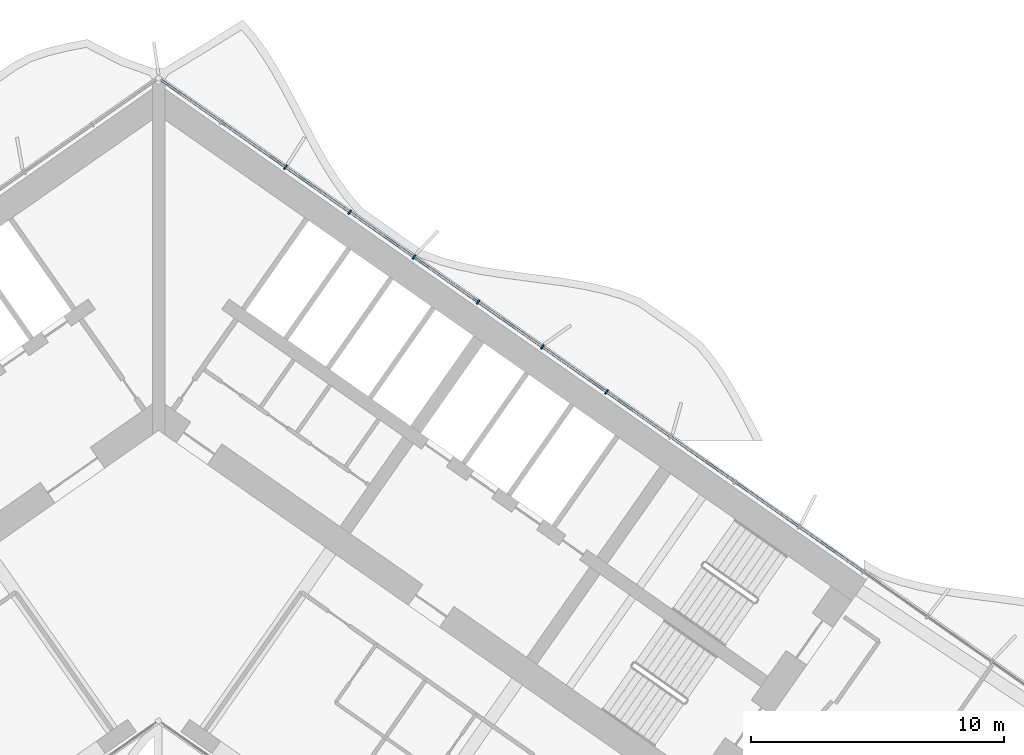
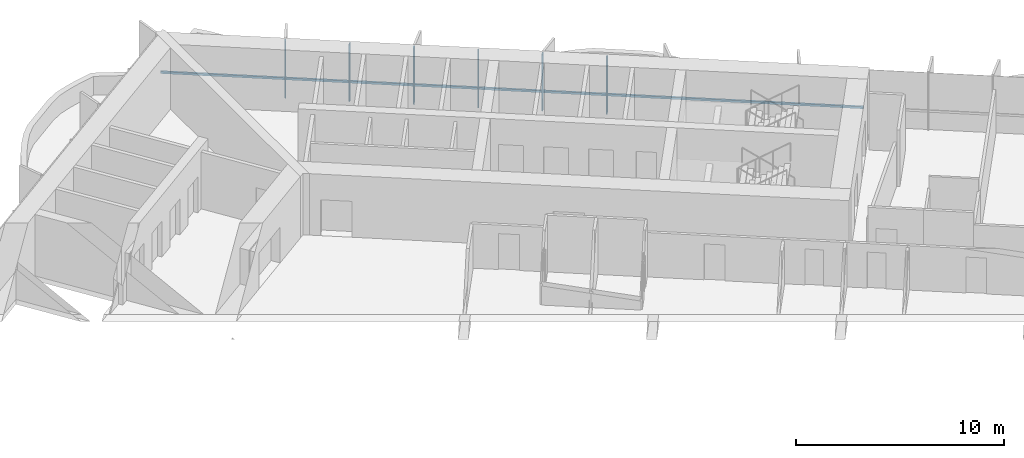
# One storey, part 8 of 23: 7 members, 1 element without a shape of its own.
"""IFC4 building model written with IfcOpenShell, lengths in metres."""

import ifcopenshell
import ifcopenshell.guid

model = None  # the IFC model being written
_history = None  # IfcOwnerHistory: only IFC2X3 demands one
_inside = {}  # id of a spatial element -> (the spatial element, [elements in it])
_under = {}  # id of a project, library or spatial element -> (it, [spatial elements below it])
_declared = {}  # id of a project -> (the project, [libraries it declares])
_typed = {}  # id of a type object -> (the type object, [elements of that type])
_made_of = {}  # id of a material, layer set ... -> (it, [elements and type objects made of it])


def new_model(schema):
    """Start an empty IFC model of exactly this schema.

    Asked for "IFC4X3", IfcOpenShell would pick the latest addendum, in which some entities
    have other attributes; the version numbers below select the first issue.
    IFC2X3 requires an IfcOwnerHistory on every rooted entity: one is made here for all.
    """
    global model, _history
    if schema == "IFC4X3":
        model = ifcopenshell.file(schema_version=(4, 3, 0, 0))
    else:
        model = ifcopenshell.file(schema=schema)
    _inside.clear()
    _under.clear()
    _declared.clear()
    _typed.clear()
    _made_of.clear()
    _history = None
    if model.schema == "IFC2X3":
        org = make("IfcOrganization", Name="unknown")
        user = make(
            "IfcPersonAndOrganization",
            ThePerson=make("IfcPerson", FamilyName="unknown"),
            TheOrganization=org,
        )
        app = make(
            "IfcApplication",
            ApplicationDeveloper=org,
            Version="unknown",
            ApplicationFullName="unknown",
            ApplicationIdentifier="unknown",
        )
        _history = make(
            "IfcOwnerHistory",
            OwningUser=user,
            OwningApplication=app,
            ChangeAction="ADDED",
            CreationDate=0,
        )
    return model


def make(cls, **values):
    """One entity of the class cls with the attributes given. An attribute that is None is left unset."""
    return model.create_entity(
        cls, **{name: value for name, value in values.items() if value is not None}
    )


def rooted(cls, **values):
    """An entity with a GlobalId (a new one), such as an element, a storey or a relation."""
    return make(cls, GlobalId=ifcopenshell.guid.new(), OwnerHistory=_history, **values)


def si_unit(unit_type, name, prefix=None):
    """IfcSIUnit, for example si_unit("LENGTHUNIT", "METRE", prefix="MILLI")."""
    return make("IfcSIUnit", UnitType=unit_type, Prefix=prefix, Name=name)


def assignment(units):
    """IfcUnitAssignment: the units of a project."""
    return None if units is None else make("IfcUnitAssignment", Units=units)


def point(xyz):
    """IfcCartesianPoint."""
    return None if xyz is None else make("IfcCartesianPoint", Coordinates=xyz)


def direction(xyz):
    """IfcDirection."""
    return None if xyz is None else make("IfcDirection", DirectionRatios=xyz)


def frame(location, z_axis=None, x_axis=None):
    """IfcAxis2Placement3D, a coordinate frame: its origin and axes. An axis left out is left unset."""
    return make(
        "IfcAxis2Placement3D",
        Location=point(location),
        Axis=direction(z_axis),
        RefDirection=direction(x_axis),
    )


def frame_2d(location, x_axis=None):
    """IfcAxis2Placement2D, a coordinate frame in the plane: its origin and x axis."""
    return make(
        "IfcAxis2Placement2D", Location=point(location), RefDirection=direction(x_axis)
    )


def origin():
    """The frame at (0, 0, 0) with its axes left unset."""
    return frame((0.0, 0.0, 0.0))


def origin_2d():
    """The frame at (0, 0) in the plane with its x axis left unset."""
    return frame_2d((0.0, 0.0))


def place(relative_to, where):
    """IfcLocalPlacement: puts the frame where relative to a parent placement (None: the world)."""
    return make(
        "IfcLocalPlacement", PlacementRelTo=relative_to, RelativePlacement=where
    )


def context(
    kind, dimensions, precision=None, world=None, true_north=None, identifier=None
):
    """IfcGeometricRepresentationContext, for example the 3D "Model" context."""
    return make(
        "IfcGeometricRepresentationContext",
        ContextIdentifier=identifier,
        ContextType=kind,
        CoordinateSpaceDimension=dimensions,
        Precision=precision,
        WorldCoordinateSystem=world,
        TrueNorth=true_north,
    )


def subcontext(parent, identifier, kind, view, scale=None):
    """IfcGeometricRepresentationSubContext, for example "Body" below "Model"."""
    return make(
        "IfcGeometricRepresentationSubContext",
        ContextIdentifier=identifier,
        ContextType=kind,
        ParentContext=parent,
        TargetScale=scale,
        TargetView=view,
    )


def project(units=None, contexts=None):
    """IfcProject with its units and contexts."""
    return rooted(
        "IfcProject",
        Name="project",
        RepresentationContexts=contexts,
        UnitsInContext=assignment(units),
    )


def spatial(cls, under=None, at=None, **own):
    """A site, building, storey or space (cls), placed at a placement, below another one or the project."""
    s = rooted(cls, ObjectPlacement=at, **own)
    if under is not None:
        _under.setdefault(under.id(), (under, []))[1].append(s)
    return s


def profile(cls, at=None, kind="AREA", **sizes):
    """A parametric profile (cls). Its sizes go by their IFC names, for example OverallWidth=200.0."""
    return make(cls, ProfileType=kind, Position=at, **sizes)


def rectangle(**sizes):
    """IfcRectangleProfileDef."""
    return profile("IfcRectangleProfileDef", **sizes)


def extrude(swept, where, along, depth):
    """IfcExtrudedAreaSolid: the profile swept, set in the frame where, extruded along a direction by depth."""
    return make(
        "IfcExtrudedAreaSolid",
        SweptArea=swept,
        Position=where,
        ExtrudedDirection=direction(along),
        Depth=depth,
    )


def shape(context_of_items, identifier, shape_type, items):
    """IfcShapeRepresentation: the items that make up one representation, for example the "Body"."""
    return make(
        "IfcShapeRepresentation",
        ContextOfItems=context_of_items,
        RepresentationIdentifier=identifier,
        RepresentationType=shape_type,
        Items=items,
    )


def material(Name=None, Category=None):
    """IfcMaterial."""
    return make("IfcMaterial", Name=Name, Category=Category)


def material_profile(
    of_material, cross_section, Name=None, Category=None, Priority=None
):
    """IfcMaterialProfile: a cross section and its material."""
    return make(
        "IfcMaterialProfile",
        Name=Name,
        Material=of_material,
        Profile=cross_section,
        Priority=Priority,
        Category=Category,
    )


def profile_set(profiles, Name=None, composite=None):
    """IfcMaterialProfileSet."""
    return make(
        "IfcMaterialProfileSet",
        Name=Name,
        MaterialProfiles=profiles,
        CompositeProfile=composite,
    )


def made_of(thing, what):
    """Note that an element or type object is made of a material, layer set ...; save() writes the relation."""
    if what is not None:
        _made_of.setdefault(what.id(), (what, []))[1].append(thing)
    return thing


def type_object(cls, material=None, **own):
    """A type object (cls), such as IfcWallType, which elements share."""
    return made_of(rooted(cls, **own), material)


def element(
    cls,
    number,
    at=None,
    inside=None,
    cuts=None,
    type_object=None,
    material=None,
    context=None,
    identifier="Body",
    shape_type=None,
    held_by="IfcProductDefinitionShape",
    body=None,
    shapes=None,
    **own,
):
    """One element of the class cls, such as IfcWall. Its Tag is "e" and its number.

    at: its placement. inside: the storey or other place that contains it. cuts: it is an
    opening in that element (IfcRelVoidsElement). A single representation is given by context,
    identifier, shape_type and body (its items); several are given by shapes. held_by: the class
    of the entity that holds the representations. save() writes the other relations.
    """
    e = rooted(cls, Tag="e%d" % number, ObjectPlacement=at, **own)
    if body is not None:
        shapes = [shape(context, identifier, shape_type, body)]
    if shapes is not None:
        e.Representation = make(held_by, Representations=shapes)
    if inside is not None:
        _inside.setdefault(inside.id(), (inside, []))[1].append(e)
    if cuts is not None:
        rooted(
            "IfcRelVoidsElement", RelatingBuildingElement=cuts, RelatedOpeningElement=e
        )
    if type_object is not None:
        _typed.setdefault(type_object.id(), (type_object, []))[1].append(e)
    return made_of(e, material)


def aggregate(whole, parts):
    """IfcRelAggregates: a whole, such as a stair, and the parts it consists of."""
    return rooted("IfcRelAggregates", RelatingObject=whole, RelatedObjects=parts)


def save(model, path):
    """Write the relations noted so far, then the file.

    IfcRelAggregates (storeys below a building ...), IfcRelContainedInSpatialStructure (elements
    in a storey), IfcRelDefinesByType, IfcRelAssociatesMaterial and IfcRelDeclares: one each for
    every whole, place, type object, material and project.
    """
    for whole, parts in _under.values():
        aggregate(whole, parts)
    for where, things in _inside.values():
        rooted(
            "IfcRelContainedInSpatialStructure",
            RelatedElements=things,
            RelatingStructure=where,
        )
    for kind, things in _typed.values():
        rooted("IfcRelDefinesByType", RelatedObjects=things, RelatingType=kind)
    for what, things in _made_of.values():
        rooted("IfcRelAssociatesMaterial", RelatedObjects=things, RelatingMaterial=what)
    for by, libraries in _declared.values():
        rooted("IfcRelDeclares", RelatingContext=by, RelatedDefinitions=libraries)
    model.write(path)


model = new_model("IFC4")

# Units and contexts
model_context = context("Model", 3, precision=1e-05, world=origin(), true_north=direction((0.0, 1.0)))
body_context = subcontext(model_context, "Body", "Model", "MODEL_VIEW")
ifc_project = project(units=[si_unit("LENGTHUNIT", "METRE"), si_unit("AREAUNIT", "SQUARE_METRE"), si_unit("VOLUMEUNIT", "CUBIC_METRE"), si_unit("PLANEANGLEUNIT", "RADIAN"), si_unit("MASSUNIT", "GRAM", prefix="KILO")], contexts=[model_context])

# Site, building, storey
site_placement = place(None, origin())
site = spatial("IfcSite", under=ifc_project, at=site_placement, CompositionType="ELEMENT")
building_placement = place(site_placement, origin())
building = spatial("IfcBuilding", under=site, at=building_placement, Name="Tel Ilan Convention Tower", CompositionType="ELEMENT")
storey_placement = place(building_placement, frame((0.0, 0.0, 83.300048828125)))
storey = spatial("IfcBuildingStorey", under=building, at=storey_placement, Name="L16", CompositionType="ELEMENT", Elevation=83.300048828125)

# Curtain wall, members
ifc_material_1 = material(Name="Aluminium, bronze anodised", Category="aluminium")
curtain_wall_type = type_object("IfcCurtainWallType", Name="CW2 STICK CURTAIN WALL, SPANDREL PANELS", PredefinedType="NOTDEFINED", material=ifc_material_1)
curtain_wall_placement = place(storey_placement, origin())
curtain_wall = element("IfcCurtainWall", 1, at=curtain_wall_placement, inside=storey, type_object=curtain_wall_type, Name="Curtain wall CW2-15.01", PredefinedType="NOTDEFINED")
ifc_material_2 = material(Name="Aluminium, bronze anodised", Category="aluminium")
ifc_material_profile_1 = material_profile(ifc_material_2, rectangle(XDim=0.06005859375, YDim=0.199951171875, at=origin_2d()), Name="CW MULLION 60x200")
ifc_profile_set_1 = profile_set([ifc_material_profile_1], Name="Aluminium, bronze anodised")
member_type_1 = type_object("IfcMemberType", Name="CW MULLION 60x200", PredefinedType="MULLION", material=ifc_profile_set_1)
member_1_placement = place(storey_placement, frame((17.701171875, 0.301513671875, 0.0), z_axis=(0.0, 0.0, 1.0), x_axis=(-0.819152044289, 0.573576436351, 0.0)))
member_1 = element("IfcMember", 2, at=member_1_placement, type_object=member_type_1, Name="Mullion", PredefinedType="MULLION", context=body_context, shape_type="SweptSolid", body=[
    extrude(rectangle(XDim=0.06005859375, YDim=0.199951171875, at=origin_2d()), origin(), (0.0, 0.0, 1.0), 3.320068359375),
])
member_2_placement = place(storey_placement, frame((15.1640625, 2.077880859375, 0.0), z_axis=(0.0, 0.0, 1.0), x_axis=(-0.819152044289, 0.573576436351, 0.0)))
member_2 = element("IfcMember", 3, at=member_2_placement, type_object=member_type_1, Name="Mullion", PredefinedType="MULLION", context=body_context, shape_type="SweptSolid", body=[
    extrude(rectangle(XDim=0.06005859375, YDim=0.199951171875, at=origin_2d()), origin(), (0.0, 0.0, 1.0), 3.320068359375),
])
member_3_placement = place(storey_placement, frame((12.627197265625, 3.854248046875, 0.0), z_axis=(0.0, 0.0, 1.0), x_axis=(-0.819152044289, 0.573576436351, 0.0)))
member_3 = element("IfcMember", 4, at=member_3_placement, type_object=member_type_1, Name="Mullion", PredefinedType="MULLION", context=body_context, shape_type="SweptSolid", body=[
    extrude(rectangle(XDim=0.06005859375, YDim=0.199951171875, at=origin_2d()), origin(), (0.0, 0.0, 1.0), 3.320068359375),
])
member_4_placement = place(storey_placement, frame((10.09033203125, 5.630615234375, 0.0), z_axis=(0.0, 0.0, 1.0), x_axis=(-0.819152044289, 0.573576436351, 0.0)))
member_4 = element("IfcMember", 5, at=member_4_placement, type_object=member_type_1, Name="Mullion", PredefinedType="MULLION", context=body_context, shape_type="SweptSolid", body=[
    extrude(rectangle(XDim=0.06005859375, YDim=0.199951171875, at=origin_2d()), origin(), (0.0, 0.0, 1.0), 3.320068359375),
])
member_5_placement = place(storey_placement, frame((7.553466796875, 7.406982421875, 0.0), z_axis=(0.0, 0.0, 1.0), x_axis=(-0.819152044289, 0.573576436351, 0.0)))
member_5 = element("IfcMember", 6, at=member_5_placement, type_object=member_type_1, Name="Mullion", PredefinedType="MULLION", context=body_context, shape_type="SweptSolid", body=[
    extrude(rectangle(XDim=0.06005859375, YDim=0.199951171875, at=origin_2d()), origin(), (0.0, 0.0, 1.0), 3.320068359375),
])
member_6_placement = place(storey_placement, frame((5.0166015625, 9.18359375, 0.0), z_axis=(0.0, 0.0, 1.0), x_axis=(-0.819152044289, 0.573576436351, 0.0)))
member_6 = element("IfcMember", 7, at=member_6_placement, type_object=member_type_1, Name="Mullion", PredefinedType="MULLION", context=body_context, shape_type="SweptSolid", body=[
    extrude(rectangle(XDim=0.06005859375, YDim=0.199951171875, at=origin_2d()), origin(), (0.0, 0.0, 1.0), 3.320068359375),
])
ifc_material_3 = material(Name="Aluminium, bronze anodised", Category="aluminium")
ifc_material_profile_2 = material_profile(ifc_material_3, rectangle(XDim=0.10009765625, YDim=0.1201171875, at=origin_2d()), Name="CW TRANSOM 100x120")
ifc_profile_set_2 = profile_set([ifc_material_profile_2], Name="Aluminium, bronze anodised")
member_type_2 = type_object("IfcMemberType", Name="CW TRANSOM 100x120", PredefinedType="USERDEFINED", material=ifc_profile_set_2)
member_7_placement = place(storey_placement, frame((27.82421875, -6.78662109375, 1.099853515625), z_axis=(-0.819151916241, 0.573576619222, 0.0), x_axis=(-0.573576619222, -0.819151916241, 0.0)))
member_7 = element("IfcMember", 8, at=member_7_placement, type_object=member_type_2, Name="Transom", ObjectType="TRANSOM", PredefinedType="USERDEFINED", context=body_context, shape_type="SweptSolid", body=[
    extrude(rectangle(XDim=0.10009765625, YDim=0.1201171875, at=origin_2d()), origin(), (0.0, 0.0, 1.0), 33.837158203125),
])
aggregate(curtain_wall, [member_1, member_2, member_3, member_4, member_5, member_6, member_7])

save(model, "model.ifc")
